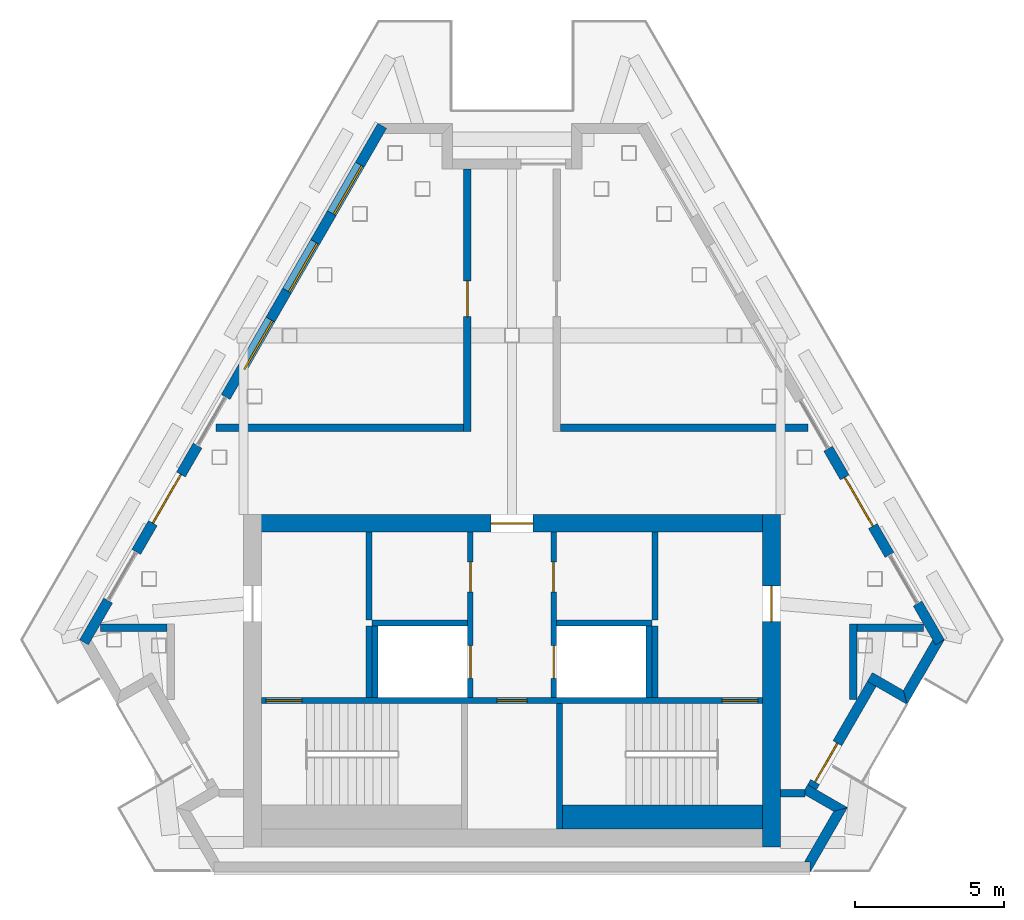
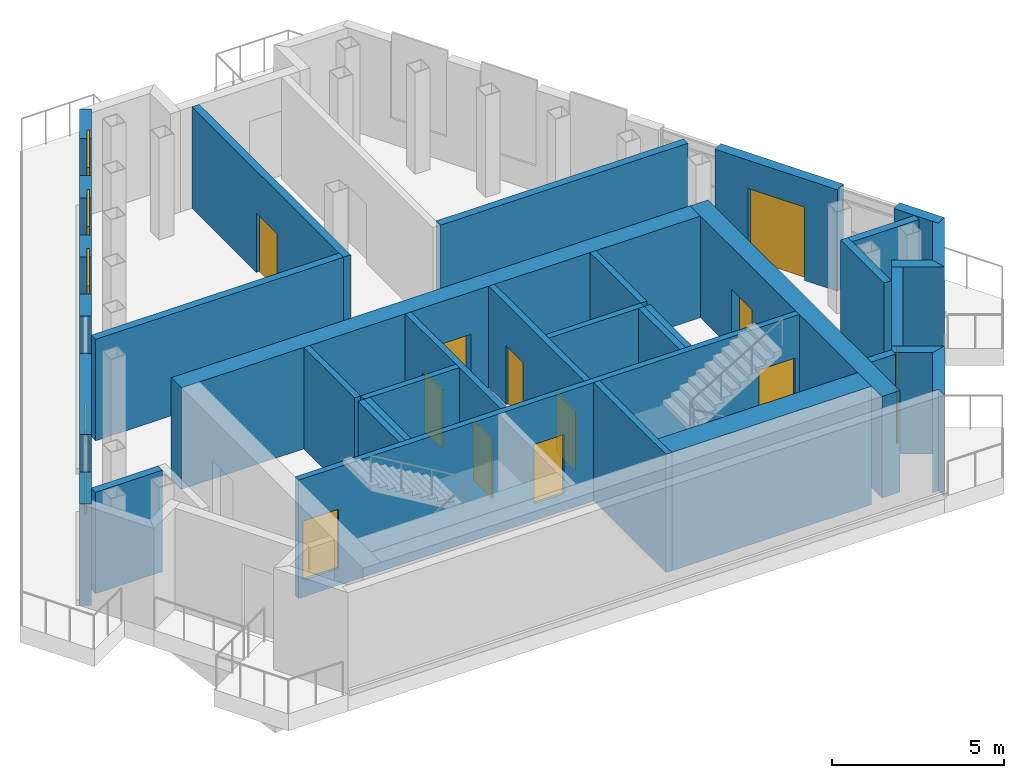
# One storey, part 5 of 7: 32 walls, 13 doors, 3 windows, 16 openings.
"""IFC4 building model written with IfcOpenShell, lengths in metres."""

from ifc_helpers import new_model, si_unit, direction, frame, frame_2d, origin, place, context, subcontext, project, spatial, polyline, rectangle, outline, extrude, material, layer, layer_set, type_object, element, fill, save


model = new_model("IFC4")

# Units and contexts
model_context = context("Model", 3, precision=1e-05, world=origin(), true_north=direction((0.0, 1.0)))
body_context = subcontext(model_context, "Body", "Model", "MODEL_VIEW")
ifc_project = project(units=[si_unit("LENGTHUNIT", "METRE"), si_unit("AREAUNIT", "SQUARE_METRE"), si_unit("VOLUMEUNIT", "CUBIC_METRE"), si_unit("PLANEANGLEUNIT", "RADIAN"), si_unit("MASSUNIT", "GRAM", prefix="KILO")], contexts=[model_context])

# Site, building, storey
site_placement = place(None, origin())
site = spatial("IfcSite", under=ifc_project, at=site_placement, CompositionType="ELEMENT")
building_placement = place(site_placement, origin())
building = spatial("IfcBuilding", under=site, at=building_placement, Name="Fogline Exchange Tower", CompositionType="ELEMENT")
storey_placement = place(building_placement, frame((0.0, 0.0, 359.60009765625)))
storey = spatial("IfcBuildingStorey", under=building, at=storey_placement, Name="L81", CompositionType="ELEMENT", Elevation=359.60009765625)

# Wall, openings, doors
ifc_material_1 = material(Name="Concrete C40", Category="concrete")
ifc_layer_1 = layer(ifc_material_1, 0.199951171875)
ifc_layer_set_1 = layer_set([ifc_layer_1], Name="CW20")
wall_type_1 = type_object("IfcWallType", Name="CW20", PredefinedType="SOLIDWALL", material=ifc_layer_set_1)
wall_1_placement = place(storey_placement, frame((-1.39990234375, 5.85009765625, 0.0), z_axis=(0.0, 0.0, 1.0), x_axis=(0.0, 1.0, 0.0)))
wall_1 = element("IfcWall", 1, at=wall_1_placement, inside=storey, type_object=wall_type_1, Name="Lift lobby wall", PredefinedType="SOLIDWALL", context=body_context, shape_type="SweptSolid", body=[
    extrude(rectangle(XDim=5.5498046875, YDim=0.199951171875, at=frame_2d((2.77490234375, 0.0))), origin(), (0.0, 0.0, 1.0), 3.599853515625),
])
opening_1_placement = place(wall_1_placement, frame((0.64990234375, 0.0, 0.0)))
opening_1 = element("IfcOpeningElement", 2, at=opening_1_placement, cuts=wall_1, Name="Opening L81-LD01", PredefinedType="OPENING", context=body_context, shape_type="SweptSolid", body=[
    extrude(rectangle(XDim=1.10009765625, YDim=2.10009765625, at=frame_2d((0.550048828125, 1.050048828125))), frame((0.0, 0.10986328125, 0.0), z_axis=(0.0, -1.0, 0.0), x_axis=(1.0, 0.0, 0.0)), (0.0, 0.0, 1.0), 0.219970703125),
])
opening_2_placement = place(wall_1_placement, frame((3.550048828125, 0.0, 0.0)))
opening_2 = element("IfcOpeningElement", 3, at=opening_2_placement, cuts=wall_1, Name="Opening L81-C004", PredefinedType="OPENING", context=body_context, shape_type="SweptSolid", body=[
    extrude(rectangle(XDim=1.0, YDim=2.10009765625, at=frame_2d((0.5, 1.050048828125))), frame((0.0, 0.10986328125, 0.0), z_axis=(0.0, -1.0, 0.0), x_axis=(1.0, 0.0, 0.0)), (0.0, 0.0, 1.0), 0.219970703125),
])
ifc_material_2 = material(Name="Steel and timber fire door", Category="steel")
door_type_1 = type_object("IfcDoorType", Name="D-RM1", OperationType="SINGLE_SWING_LEFT", PredefinedType="DOOR", material=ifc_material_2)
door_1_placement = place(opening_2_placement, origin())
door_1 = element("IfcDoor", 4, at=door_1_placement, inside=storey, type_object=door_type_1, Name="Door to store", OperationType="SINGLE_SWING_LEFT", OverallHeight=2.10009765625, OverallWidth=1.0, PredefinedType="DOOR", context=body_context, shape_type="SweptSolid", body=[
    extrude(rectangle(XDim=1.0, YDim=2.10009765625, at=frame_2d((0.5, 1.050048828125))), frame((0.0, 0.02490234375, 0.0), z_axis=(0.0, -1.0, 0.0), x_axis=(1.0, 0.0, 0.0)), (0.0, 0.0, 1.0), 0.050048828125),
])
fill(opening_2, door_1)
door_type_2 = type_object("IfcDoorType", Name="LD2", OperationType="SLIDING_TO_RIGHT", PredefinedType="DOOR", material=ifc_material_2)
door_2_placement = place(opening_1_placement, origin())
door_2 = element("IfcDoor", 5, at=door_2_placement, inside=storey, type_object=door_type_2, Name="Landing door FF1", OperationType="SLIDING_TO_RIGHT", OverallHeight=2.10009765625, OverallWidth=1.10009765625, PredefinedType="DOOR", context=body_context, shape_type="SweptSolid", body=[
    extrude(rectangle(XDim=1.10009765625, YDim=2.10009765625, at=frame_2d((0.550048828125, 1.050048828125))), frame((0.0, 0.02490234375, 0.0), z_axis=(0.0, -1.0, 0.0), x_axis=(1.0, 0.0, 0.0)), (0.0, 0.0, 1.0), 0.050048828125),
])
fill(opening_1, door_2)

wall_2_placement = place(storey_placement, frame((1.39990234375, 5.85009765625, 0.0), z_axis=(0.0, 0.0, 1.0), x_axis=(0.0, 1.0, 0.0)))
wall_2 = element("IfcWall", 6, at=wall_2_placement, inside=storey, type_object=wall_type_1, Name="Lift lobby wall", PredefinedType="SOLIDWALL", context=body_context, shape_type="SweptSolid", body=[
    extrude(rectangle(XDim=5.5498046875, YDim=0.199951171875, at=frame_2d((2.77490234375, 0.0))), origin(), (0.0, 0.0, 1.0), 3.599853515625),
])
opening_3_placement = place(wall_2_placement, frame((0.64990234375, 0.0, 0.0)))
opening_3 = element("IfcOpeningElement", 7, at=opening_3_placement, cuts=wall_2, Name="Opening L81-LD02", PredefinedType="OPENING", context=body_context, shape_type="SweptSolid", body=[
    extrude(rectangle(XDim=1.10009765625, YDim=2.10009765625, at=frame_2d((0.550048828125, 1.050048828125))), frame((0.0, 0.10986328125, 0.0), z_axis=(0.0, -1.0, 0.0), x_axis=(1.0, 0.0, 0.0)), (0.0, 0.0, 1.0), 0.219970703125),
])
opening_4_placement = place(wall_2_placement, frame((3.550048828125, 0.0, 0.0)))
opening_4 = element("IfcOpeningElement", 8, at=opening_4_placement, cuts=wall_2, Name="Opening L81-C007", PredefinedType="OPENING", context=body_context, shape_type="SweptSolid", body=[
    extrude(rectangle(XDim=1.0, YDim=2.10009765625, at=frame_2d((0.5, 1.050048828125))), frame((0.0, 0.10986328125, 0.0), z_axis=(0.0, -1.0, 0.0), x_axis=(1.0, 0.0, 0.0)), (0.0, 0.0, 1.0), 0.219970703125),
])
door_3_placement = place(opening_4_placement, frame((1.0, 0.0, 0.0), z_axis=(0.0, 0.0, 1.0), x_axis=(-1.0, 0.0, 0.0)))
door_3 = element("IfcDoor", 9, at=door_3_placement, inside=storey, type_object=door_type_1, Name="Door to store", OperationType="SINGLE_SWING_RIGHT", OverallHeight=2.10009765625, OverallWidth=1.0, PredefinedType="DOOR", context=body_context, shape_type="SweptSolid", body=[
    extrude(rectangle(XDim=1.0, YDim=2.10009765625, at=frame_2d((0.5, 1.050048828125))), frame((0.0, 0.02490234375, 0.0), z_axis=(0.0, -1.0, 0.0), x_axis=(1.0, 0.0, 0.0)), (0.0, 0.0, 1.0), 0.050048828125),
])
fill(opening_4, door_3)
door_4_placement = place(opening_3_placement, origin())
door_4 = element("IfcDoor", 10, at=door_4_placement, inside=storey, type_object=door_type_2, Name="Landing door FF2", OperationType="SLIDING_TO_RIGHT", OverallHeight=2.10009765625, OverallWidth=1.10009765625, PredefinedType="DOOR", context=body_context, shape_type="SweptSolid", body=[
    extrude(rectangle(XDim=1.10009765625, YDim=2.10009765625, at=frame_2d((0.550048828125, 1.050048828125))), frame((0.0, 0.02490234375, 0.0), z_axis=(0.0, -1.0, 0.0), x_axis=(1.0, 0.0, 0.0)), (0.0, 0.0, 1.0), 0.050048828125),
])
fill(opening_3, door_4)

# Walls
for number, where, z_axis, x_axis, name in (
    (11, (-4.60009765625, 5.85009765625, 0.0), (0.0, 0.0, 1.0), (0.0, 1.0, 0.0), "Lift shaft wall"),
    (12, (4.60009765625, 5.85009765625, 0.0), (0.0, 0.0, 1.0), (0.0, 1.0, 0.0), "Lift shaft wall"),
):
    element("IfcWall", number, at=place(storey_placement, frame(where, z_axis=z_axis, x_axis=x_axis)), inside=storey, type_object=wall_type_1, Name=name, PredefinedType="SOLIDWALL", context=body_context, shape_type="SweptSolid", body=[
        extrude(rectangle(XDim=2.39990234375, YDim=0.199951171875, at=frame_2d((1.199951171875, 0.0))), origin(), (0.0, 0.0, 1.0), 3.599853515625),
    ])
for number, where, z_axis, x_axis, name in (
    (13, (-4.699951171875, 8.35009765625, 0.0), (0.0, 0.0, 1.0), (1.0, 0.0, 0.0), "Lift shaft wall"),
    (14, (1.5, 8.35009765625, 0.0), (0.0, 0.0, 1.0), (1.0, 0.0, 0.0), "Lift shaft wall"),
):
    element("IfcWall", number, at=place(storey_placement, frame(where, z_axis=z_axis, x_axis=x_axis)), inside=storey, type_object=wall_type_1, Name=name, PredefinedType="SOLIDWALL", context=body_context, shape_type="SweptSolid", body=[
        extrude(rectangle(XDim=3.199951171875, YDim=0.199951171875, at=frame_2d((1.60009765625, 0.0))), origin(), (0.0, 0.0, 1.0), 3.599853515625),
    ])
for number, where, z_axis, x_axis, name in (
    (15, (-4.800048828125, 8.449951171875, 0.0), (0.0, 0.0, 1.0), (0.0, 1.0, 0.0), "Room wall"),
    (16, (4.800048828125, 8.449951171875, 0.0), (0.0, 0.0, 1.0), (0.0, 1.0, 0.0), "Room wall"),
):
    element("IfcWall", number, at=place(storey_placement, frame(where, z_axis=z_axis, x_axis=x_axis)), inside=storey, type_object=wall_type_1, Name=name, PredefinedType="SOLIDWALL", context=body_context, shape_type="SweptSolid", body=[
        extrude(rectangle(XDim=2.949951171875, YDim=0.199951171875, at=frame_2d((1.47509765625, 0.0))), origin(), (0.0, 0.0, 1.0), 3.599853515625),
    ])
for number, where, z_axis, x_axis, name in (
    (17, (-4.800048828125, 5.85009765625, 0.0), (0.0, 0.0, 1.0), (0.0, 1.0, 0.0), "Room wall"),
    (18, (4.800048828125, 5.85009765625, 0.0), (0.0, 0.0, 1.0), (0.0, 1.0, 0.0), "Room wall"),
):
    element("IfcWall", number, at=place(storey_placement, frame(where, z_axis=z_axis, x_axis=x_axis)), inside=storey, type_object=wall_type_1, Name=name, PredefinedType="SOLIDWALL", context=body_context, shape_type="SweptSolid", body=[
        extrude(rectangle(XDim=2.39990234375, YDim=0.199951171875, at=frame_2d((1.199951171875, 0.0))), origin(), (0.0, 0.0, 1.0), 3.599853515625),
    ])

# Wall, openings, doors
ifc_layer_2 = layer(ifc_material_1, 0.199951171875)
ifc_layer_set_2 = layer_set([ifc_layer_2], Name="CW20R")
wall_type_2 = type_object("IfcWallType", Name="CW20R", PredefinedType="SOLIDWALL", material=ifc_layer_set_2)
wall_3_placement = place(storey_placement, frame((-8.39990234375, 5.75, -0.60009765625), z_axis=(0.0, 0.0, 1.0), x_axis=(1.0, 0.0, 0.0)))
wall_3 = element("IfcWall", 19, at=wall_3_placement, inside=storey, type_object=wall_type_2, Name="Stair enclosure wall", PredefinedType="SOLIDWALL", context=body_context, shape_type="SweptSolid", body=[
    extrude(rectangle(XDim=16.7998046875, YDim=0.199951171875, at=frame_2d((8.39990234375, 0.0))), origin(), (0.0, 0.0, 1.0), 4.199951171875),
])
opening_5_placement = place(wall_3_placement, frame((7.89990234375, 0.0, 0.60009765625)))
opening_5 = element("IfcOpeningElement", 20, at=opening_5_placement, cuts=wall_3, Name="Opening L81-C001", PredefinedType="OPENING", context=body_context, shape_type="SweptSolid", body=[
    extrude(rectangle(XDim=1.0, YDim=2.10009765625, at=frame_2d((0.5, 1.050048828125))), frame((0.0, 0.10986328125, 0.0), z_axis=(0.0, -1.0, 0.0), x_axis=(1.0, 0.0, 0.0)), (0.0, 0.0, 1.0), 0.219970703125),
])
opening_6_placement = place(wall_3_placement, frame((0.14990234375, 0.0, 0.60009765625)))
opening_6 = element("IfcOpeningElement", 21, at=opening_6_placement, cuts=wall_3, Name="Opening L81-C003", PredefinedType="OPENING", context=body_context, shape_type="SweptSolid", body=[
    extrude(rectangle(XDim=1.199951171875, YDim=2.10009765625, at=frame_2d((0.60009765625, 1.050048828125))), frame((0.0, 0.10986328125, 0.0), z_axis=(0.0, -1.0, 0.0), x_axis=(1.0, 0.0, 0.0)), (0.0, 0.0, 1.0), 0.219970703125),
])
opening_7_placement = place(wall_3_placement, frame((15.449951171875, 0.0, 0.60009765625)))
opening_7 = element("IfcOpeningElement", 22, at=opening_7_placement, cuts=wall_3, Name="Opening L81-C006", PredefinedType="OPENING", context=body_context, shape_type="SweptSolid", body=[
    extrude(rectangle(XDim=1.199951171875, YDim=2.10009765625, at=frame_2d((0.60009765625, 1.050048828125))), frame((0.0, 0.10986328125, 0.0), z_axis=(0.0, -1.0, 0.0), x_axis=(1.0, 0.0, 0.0)), (0.0, 0.0, 1.0), 0.219970703125),
])
door_5_placement = place(opening_5_placement, frame((1.0, 0.0, 0.0), z_axis=(0.0, 0.0, 1.0), x_axis=(-1.0, 0.0, 0.0)))
door_5 = element("IfcDoor", 23, at=door_5_placement, inside=storey, type_object=door_type_1, Name="Door to Riser Room", OperationType="SINGLE_SWING_RIGHT", OverallHeight=2.10009765625, OverallWidth=1.0, PredefinedType="DOOR", context=body_context, shape_type="SweptSolid", body=[
    extrude(rectangle(XDim=1.0, YDim=2.10009765625, at=frame_2d((0.5, 1.050048828125))), frame((0.0, 0.02490234375, 0.0), z_axis=(0.0, -1.0, 0.0), x_axis=(1.0, 0.0, 0.0)), (0.0, 0.0, 1.0), 0.050048828125),
])
fill(opening_5, door_5)
door_type_3 = type_object("IfcDoorType", Name="D-ST1", OperationType="SINGLE_SWING_LEFT", PredefinedType="DOOR", material=ifc_material_2)
door_6_placement = place(opening_6_placement, frame((1.199951171875, 0.0, 0.0), z_axis=(0.0, 0.0, 1.0), x_axis=(-1.0, 0.0, 0.0)))
door_6 = element("IfcDoor", 24, at=door_6_placement, inside=storey, type_object=door_type_3, Name="Stair door CS1", OperationType="SINGLE_SWING_RIGHT", OverallHeight=2.10009765625, OverallWidth=1.199951171875, PredefinedType="DOOR", context=body_context, shape_type="SweptSolid", body=[
    extrude(rectangle(XDim=1.199951171875, YDim=2.10009765625, at=frame_2d((0.60009765625, 1.050048828125))), frame((0.0, 0.02490234375, 0.0), z_axis=(0.0, -1.0, 0.0), x_axis=(1.0, 0.0, 0.0)), (0.0, 0.0, 1.0), 0.050048828125),
])
fill(opening_6, door_6)
door_7_placement = place(opening_7_placement, frame((1.199951171875, 0.0, 0.0), z_axis=(0.0, 0.0, 1.0), x_axis=(-1.0, 0.0, 0.0)))
door_7 = element("IfcDoor", 25, at=door_7_placement, inside=storey, type_object=door_type_3, Name="Stair door CS2", OperationType="SINGLE_SWING_LEFT", OverallHeight=2.10009765625, OverallWidth=1.199951171875, PredefinedType="DOOR", context=body_context, shape_type="SweptSolid", body=[
    extrude(rectangle(XDim=1.199951171875, YDim=2.10009765625, at=frame_2d((0.60009765625, 1.050048828125))), frame((0.0, 0.02490234375, 0.0), z_axis=(0.0, -1.0, 0.0), x_axis=(1.0, 0.0, 0.0)), (0.0, 0.0, 1.0), 0.050048828125),
])
fill(opening_7, door_7)

# Walls
wall_4_placement = place(storey_placement, frame((1.60009765625, 1.449951171875, -0.60009765625), z_axis=(0.0, 0.0, 1.0), x_axis=(0.0, 1.0, 0.0)))
element("IfcWall", 26, at=wall_4_placement, inside=storey, type_object=wall_type_2, Name="Stair enclosure wall", PredefinedType="SOLIDWALL", context=body_context, shape_type="SweptSolid", body=[
    extrude(rectangle(XDim=4.199951171875, YDim=0.199951171875, at=frame_2d((2.10009765625, 0.0))), origin(), (0.0, 0.0, 1.0), 4.199951171875),
])
ifc_layer_3 = layer(ifc_material_1, 0.800048828125)
ifc_layer_set_3 = layer_set([ifc_layer_3], Name="CW80R")
wall_type_3 = type_object("IfcWallType", Name="CW80R", PredefinedType="SOLIDWALL", material=ifc_layer_set_3)
wall_5_placement = place(storey_placement, frame((1.699951171875, 1.85009765625, -0.60009765625), z_axis=(0.0, 0.0, 1.0), x_axis=(1.0, 0.0, 0.0)))
element("IfcWall", 27, at=wall_5_placement, inside=storey, type_object=wall_type_3, Name="Stair enclosure wall", PredefinedType="SOLIDWALL", context=body_context, shape_type="SweptSolid", body=[
    extrude(rectangle(XDim=6.699951171875, YDim=0.800048828125, at=frame_2d((3.35009765625, 0.0))), origin(), (0.0, 0.0, 1.0), 4.199951171875),
])
ifc_material_3 = material(Name="Brick masonry", Category="masonry")
ifc_layer_4 = layer(ifc_material_3, 0.340087890625)
ifc_layer_set_4 = layer_set([ifc_layer_4], Name="FW1")
wall_type_4 = type_object("IfcWallType", Name="FW1", PredefinedType="SOLIDWALL", material=ifc_layer_set_4)
wall_6_placement = place(storey_placement, origin())
element("IfcWall", 28, at=wall_6_placement, inside=storey, type_object=wall_type_4, Name="Brick wall L81 SE-c1", PredefinedType="SOLIDWALL", context=body_context, shape_type="SweptSolid", body=[
    extrude(outline(polyline([(11.2509765625, 2.165771484375), (10.0, -0.001220703125), (9.99951171875, -0.0009765625), (9.99951171875, 0.33935546875), (9.802734375, 0.33935546875), (10.78515625, 2.041015625), (11.2509765625, 2.166015625), (11.2509765625, 2.165771484375)])), origin(), (0.0, 0.0, 1.0), 3.599853515625),
])
wall_7_placement = place(storey_placement, origin())
element("IfcWall", 29, at=wall_7_placement, inside=storey, type_object=wall_type_4, Name="Brick wall L81 SE-s1", PredefinedType="SOLIDWALL", context=body_context, shape_type="SweptSolid", body=[
    extrude(outline(polyline([(9.74560546875, 2.640380859375), (9.916015625, 2.935791015625), (10.211181640625, 2.765625), (11.251220703125, 2.1650390625), (11.251220703125, 2.164794921875), (10.785400390625, 2.0400390625), (9.74560546875, 2.640380859375)])), origin(), (0.0, 0.0, 1.0), 3.599853515625),
])

# Wall, opening, door
wall_8_placement = place(storey_placement, frame((10.0634765625, 2.85009765625, 0.0), z_axis=(0.0, 0.0, 1.0), x_axis=(0.49999894854, 0.866026010844, 0.0)))
wall_8 = element("IfcWall", 30, at=wall_8_placement, inside=storey, type_object=wall_type_4, Name="Brick wall L81 SE-bk", PredefinedType="SOLIDWALL", context=body_context, shape_type="SweptSolid", body=[
    extrude(rectangle(XDim=4.0, YDim=0.340087890625, at=frame_2d((2.0, 0.0))), origin(), (0.0, 0.0, 1.0), 3.599853515625),
])
opening_8_placement = place(wall_8_placement, frame((0.199951171875, 0.0, 0.0)))
opening_8 = element("IfcOpeningElement", 31, at=opening_8_placement, cuts=wall_8, Name="Opening L81-E081", PredefinedType="OPENING", context=body_context, shape_type="SweptSolid", body=[
    extrude(rectangle(XDim=1.5, YDim=2.39990234375, at=frame_2d((0.75, 1.199951171875))), frame((0.0, 0.18017578125, 0.0), z_axis=(0.0, -1.0, 0.0), x_axis=(1.0, 0.0, 0.0)), (0.0, 0.0, 1.0), 0.360107421875),
])
ifc_material_4 = material(Name="Aluminium and glass", Category="aluminium")
door_type_4 = type_object("IfcDoorType", Name="ED4", OperationType="SINGLE_SWING_LEFT", PredefinedType="DOOR", material=ifc_material_4)
door_8_placement = place(opening_8_placement, frame((1.5, 0.0, 0.0), z_axis=(0.0, 0.0, 1.0), x_axis=(-1.0, 0.0, 0.0)))
door_8 = element("IfcDoor", 32, at=door_8_placement, inside=storey, type_object=door_type_4, Name="Balcony door L81 SE", OperationType="DOUBLE_DOOR_SINGLE_SWING", OverallHeight=2.39990234375, OverallWidth=1.5, PredefinedType="DOOR", context=body_context, shape_type="SweptSolid", body=[
    extrude(rectangle(XDim=1.5, YDim=2.39990234375, at=frame_2d((0.75, 1.199951171875))), frame((0.0, 0.02490234375, 0.0), z_axis=(0.0, -1.0, 0.0), x_axis=(1.0, 0.0, 0.0)), (0.0, 0.0, 1.0), 0.050048828125),
])
fill(opening_8, door_8)

# Walls
wall_9_placement = place(storey_placement, origin())
element("IfcWall", 33, at=wall_9_placement, inside=storey, type_object=wall_type_4, Name="Brick wall L81 SE-s2", PredefinedType="SOLIDWALL", context=body_context, shape_type="SweptSolid", body=[
    extrude(outline(polyline([(13.25048828125, 5.628173828125), (12.21044921875, 6.228759765625), (11.91552734375, 6.39892578125), (12.086181640625, 6.6943359375), (13.1259765625, 6.093994140625), (13.250732421875, 5.62841796875), (13.25048828125, 5.628173828125)])), origin(), (0.0, 0.0, 1.0), 3.599853515625),
])
wall_10_placement = place(storey_placement, origin())
element("IfcWall", 34, at=wall_10_placement, inside=storey, type_object=wall_type_4, Name="Brick wall L81 SE-c2", PredefinedType="SOLIDWALL", context=body_context, shape_type="SweptSolid", body=[
    extrude(outline(polyline([(14.107421875, 7.79541015625), (14.205810546875, 7.625), (14.500732421875, 7.79541015625), (14.5009765625, 7.794921875), (13.25, 5.6279296875), (13.249755859375, 5.6279296875), (13.125, 6.09375), (14.107421875, 7.79541015625)])), origin(), (0.0, 0.0, 1.0), 3.599853515625),
])
wall_11_placement = place(storey_placement, frame((14.352783203125, 7.709228515625, 0.0), z_axis=(0.0, 0.0, 1.0), x_axis=(-0.499990139034, 0.866031096941, 0.0)))
element("IfcWall", 35, at=wall_11_placement, inside=storey, type_object=wall_type_4, Name="Brick wall L81 E bay 1", PredefinedType="SOLIDWALL", context=body_context, shape_type="SweptSolid", body=[
    extrude(rectangle(XDim=1.5, YDim=0.340087890625, at=frame_2d((0.75, 0.0))), origin(), (0.0, 0.0, 1.0), 3.599853515625),
])

# Wall, opening, door
wall_12_placement = place(storey_placement, frame((12.660400390625, 10.640625, 0.0), z_axis=(0.0, 0.0, 1.0), x_axis=(-0.500018604663, 0.866014662111, 0.0)))
wall_12 = element("IfcWall", 36, at=wall_12_placement, inside=storey, type_object=wall_type_4, Name="Brick wall L81 E bay 2", PredefinedType="SOLIDWALL", context=body_context, shape_type="SweptSolid", body=[
    extrude(rectangle(XDim=4.114990234375, YDim=0.340087890625, at=frame_2d((2.0576171875, 0.0))), origin(), (0.0, 0.0, 1.0), 3.599853515625),
])
opening_9_placement = place(wall_12_placement, frame((1.114990234375, 0.0, 0.0)))
opening_9 = element("IfcOpeningElement", 37, at=opening_9_placement, cuts=wall_12, Name="Opening L81-E111", PredefinedType="OPENING", context=body_context, shape_type="SweptSolid", body=[
    extrude(rectangle(XDim=1.885009765625, YDim=2.60009765625, at=frame_2d((0.9423828125, 1.300048828125))), frame((0.0, 0.18017578125, 0.0), z_axis=(0.0, -1.0, 0.0), x_axis=(1.0, 0.0, 0.0)), (0.0, 0.0, 1.0), 0.360107421875),
])
door_type_5 = type_object("IfcDoorType", Name="ED5", OperationType="SINGLE_SWING_LEFT", PredefinedType="DOOR", material=ifc_material_4)
door_9_placement = place(opening_9_placement, frame((1.885009765625, 0.0, 0.0), z_axis=(0.0, 0.0, 1.0), x_axis=(-1.0, 0.0, 0.0)))
door_9 = element("IfcDoor", 38, at=door_9_placement, inside=storey, type_object=door_type_5, Name="Terrace door L81 E", OperationType="DOUBLE_DOOR_SINGLE_SWING", OverallHeight=2.60009765625, OverallWidth=1.885009765625, PredefinedType="DOOR", context=body_context, shape_type="SweptSolid", body=[
    extrude(rectangle(XDim=1.885009765625, YDim=2.60009765625, at=frame_2d((0.9423828125, 1.300048828125))), frame((0.0, 0.02490234375, 0.0), z_axis=(0.0, -1.0, 0.0), x_axis=(1.0, 0.0, 0.0)), (0.0, 0.0, 1.0), 0.050048828125),
])
fill(opening_9, door_9)

# Wall, openings, windows
wall_13_placement = place(storey_placement, frame((-4.352783203125, 25.02978515625, 0.0), z_axis=(0.0, 0.0, 1.0), x_axis=(-0.500000207062, -0.866025284237, 0.0)))
wall_13 = element("IfcWall", 39, at=wall_13_placement, inside=storey, type_object=wall_type_4, Name="Brick wall L81 W bay 1", PredefinedType="SOLIDWALL", context=body_context, shape_type="SweptSolid", body=[
    extrude(rectangle(XDim=10.5, YDim=0.340087890625, at=frame_2d((5.25, 0.0))), origin(), (0.0, 0.0, 1.0), 3.599853515625),
])
opening_10_placement = place(wall_13_placement, frame((1.5, 0.0, 0.89990234375)))
opening_10 = element("IfcOpeningElement", 40, at=opening_10_placement, cuts=wall_13, Name="Opening W6", PredefinedType="OPENING", context=body_context, shape_type="SweptSolid", body=[
    extrude(rectangle(XDim=1.885009765625, YDim=3.0, at=frame_2d((0.9423828125, 1.5))), frame((0.0, 0.18017578125, 0.0), z_axis=(0.0, -1.0, 0.0), x_axis=(1.0, 0.0, 0.0)), (0.0, 0.0, 1.0), 0.360107421875),
])
opening_11_placement = place(wall_13_placement, frame((4.5, 0.0, 0.89990234375)))
opening_11 = element("IfcOpeningElement", 41, at=opening_11_placement, cuts=wall_13, Name="Opening W6", PredefinedType="OPENING", context=body_context, shape_type="SweptSolid", body=[
    extrude(rectangle(XDim=1.885009765625, YDim=3.0, at=frame_2d((0.9423828125, 1.5))), frame((0.0, 0.18017578125, 0.0), z_axis=(0.0, -1.0, 0.0), x_axis=(1.0, 0.0, 0.0)), (0.0, 0.0, 1.0), 0.360107421875),
])
opening_12_placement = place(wall_13_placement, frame((7.5, 0.0, 0.89990234375)))
opening_12 = element("IfcOpeningElement", 42, at=opening_12_placement, cuts=wall_13, Name="Opening W6", PredefinedType="OPENING", context=body_context, shape_type="SweptSolid", body=[
    extrude(rectangle(XDim=1.885009765625, YDim=3.0, at=frame_2d((0.9423828125, 1.5))), frame((0.0, 0.18017578125, 0.0), z_axis=(0.0, -1.0, 0.0), x_axis=(1.0, 0.0, 0.0)), (0.0, 0.0, 1.0), 0.360107421875),
])
ifc_material_5 = material(Name="Aluminium louvre", Category="aluminium")
window_type = type_object("IfcWindowType", Name="W6", PartitioningType="SINGLE_PANEL", PredefinedType="WINDOW", material=ifc_material_5)
window_1_placement = place(opening_10_placement, origin())
window_1 = element("IfcWindow", 43, at=window_1_placement, inside=storey, type_object=window_type, Name="W6 W6", OverallHeight=3.0, OverallWidth=1.885009765625, PartitioningType="SINGLE_PANEL", PredefinedType="WINDOW", context=body_context, shape_type="SweptSolid", body=[
    extrude(rectangle(XDim=1.885009765625, YDim=3.0, at=frame_2d((0.9423828125, 1.5))), frame((0.0, 0.110107421875, 0.0), z_axis=(0.0, -1.0, 0.0), x_axis=(1.0, 0.0, 0.0)), (0.0, 0.0, 1.0), 0.06005859375),
])
fill(opening_10, window_1)
window_2_placement = place(opening_11_placement, origin())
window_2 = element("IfcWindow", 44, at=window_2_placement, inside=storey, type_object=window_type, Name="W6 W6", OverallHeight=3.0, OverallWidth=1.885009765625, PartitioningType="SINGLE_PANEL", PredefinedType="WINDOW", context=body_context, shape_type="SweptSolid", body=[
    extrude(rectangle(XDim=1.885009765625, YDim=3.0, at=frame_2d((0.9423828125, 1.5))), frame((0.0, 0.110107421875, 0.0), z_axis=(0.0, -1.0, 0.0), x_axis=(1.0, 0.0, 0.0)), (0.0, 0.0, 1.0), 0.06005859375),
])
fill(opening_11, window_2)
window_3_placement = place(opening_12_placement, origin())
window_3 = element("IfcWindow", 45, at=window_3_placement, inside=storey, type_object=window_type, Name="W6 W6", OverallHeight=3.0, OverallWidth=1.885009765625, PartitioningType="SINGLE_PANEL", PredefinedType="WINDOW", context=body_context, shape_type="SweptSolid", body=[
    extrude(rectangle(XDim=1.885009765625, YDim=3.0, at=frame_2d((0.9423828125, 1.5))), frame((0.0, 0.110107421875, 0.0), z_axis=(0.0, -1.0, 0.0), x_axis=(1.0, 0.0, 0.0)), (0.0, 0.0, 1.0), 0.06005859375),
])
fill(opening_12, window_3)

# Wall, opening, door
wall_14_placement = place(storey_placement, frame((-10.545166015625, 14.303955078125, 0.0), z_axis=(0.0, 0.0, 1.0), x_axis=(-0.500018604663, -0.866014662111, 0.0)))
wall_14 = element("IfcWall", 46, at=wall_14_placement, inside=storey, type_object=wall_type_4, Name="Brick wall L81 W bay 2", PredefinedType="SOLIDWALL", context=body_context, shape_type="SweptSolid", body=[
    extrude(rectangle(XDim=4.114990234375, YDim=0.340087890625, at=frame_2d((2.0576171875, 0.0))), origin(), (0.0, 0.0, 1.0), 3.599853515625),
])
opening_13_placement = place(wall_14_placement, frame((1.114990234375, 0.0, 0.0)))
opening_13 = element("IfcOpeningElement", 47, at=opening_13_placement, cuts=wall_14, Name="Opening L81-E171", PredefinedType="OPENING", context=body_context, shape_type="SweptSolid", body=[
    extrude(rectangle(XDim=1.885009765625, YDim=2.60009765625, at=frame_2d((0.9423828125, 1.300048828125))), frame((0.0, 0.18017578125, 0.0), z_axis=(0.0, -1.0, 0.0), x_axis=(1.0, 0.0, 0.0)), (0.0, 0.0, 1.0), 0.360107421875),
])
door_10_placement = place(opening_13_placement, frame((1.885009765625, 0.0, 0.0), z_axis=(0.0, 0.0, 1.0), x_axis=(-1.0, 0.0, 0.0)))
door_10 = element("IfcDoor", 48, at=door_10_placement, inside=storey, type_object=door_type_5, Name="Terrace door L81 W", OperationType="DOUBLE_DOOR_SINGLE_SWING", OverallHeight=2.60009765625, OverallWidth=1.885009765625, PredefinedType="DOOR", context=body_context, shape_type="SweptSolid", body=[
    extrude(rectangle(XDim=1.885009765625, YDim=2.60009765625, at=frame_2d((0.9423828125, 1.300048828125))), frame((0.0, 0.02490234375, 0.0), z_axis=(0.0, -1.0, 0.0), x_axis=(1.0, 0.0, 0.0)), (0.0, 0.0, 1.0), 0.050048828125),
])
fill(opening_13, door_10)

# Wall
wall_15_placement = place(storey_placement, frame((-13.545166015625, 9.10791015625, 0.0), z_axis=(0.0, 0.0, 1.0), x_axis=(-0.500040847832, -0.866001818993, 0.0)))
element("IfcWall", 49, at=wall_15_placement, inside=storey, type_object=wall_type_4, Name="Brick wall L81 W bay 3", PredefinedType="SOLIDWALL", context=body_context, shape_type="SweptSolid", body=[
    extrude(rectangle(XDim=1.614990234375, YDim=0.340087890625, at=frame_2d((0.8076171875, 0.0))), origin(), (0.0, 0.0, 1.0), 3.599853515625),
])

# Wall, opening, door
ifc_layer_5 = layer(ifc_material_1, 0.25)
ifc_layer_set_5 = layer_set([ifc_layer_5], Name="PP3")
wall_type_5 = type_object("IfcWallType", Name="PP3", PredefinedType="SOLIDWALL", material=ifc_layer_set_5)
wall_16_placement = place(storey_placement, frame((-1.5, 14.77490234375, 0.0), z_axis=(0.0, 0.0, 1.0), x_axis=(0.0, 1.0, 0.0)))
wall_16 = element("IfcWall", 50, at=wall_16_placement, inside=storey, type_object=wall_type_5, Name="PP3 partition", PredefinedType="SOLIDWALL", context=body_context, shape_type="SweptSolid", body=[
    extrude(rectangle(XDim=8.7998046875, YDim=0.25, at=frame_2d((4.39990234375, 0.0))), origin(), (0.0, 0.0, 1.0), 3.599853515625),
])
opening_14_placement = place(wall_16_placement, frame((3.852294921875, 0.0, 0.0)))
opening_14 = element("IfcOpeningElement", 51, at=opening_14_placement, cuts=wall_16, Name="Opening L81-D002", PredefinedType="OPENING", context=body_context, shape_type="SweptSolid", body=[
    extrude(rectangle(XDim=1.199951171875, YDim=2.10009765625, at=frame_2d((0.60009765625, 1.050048828125))), frame((0.0, 0.135009765625, 0.0), z_axis=(0.0, -1.0, 0.0), x_axis=(1.0, 0.0, 0.0)), (0.0, 0.0, 1.0), 0.27001953125),
])
ifc_material_6 = material(Name="Steel Q235B", Category="steel")
door_type_6 = type_object("IfcDoorType", Name="PD7", OperationType="SINGLE_SWING_LEFT", PredefinedType="DOOR", material=ifc_material_6)
door_11_placement = place(opening_14_placement, origin())
door_11 = element("IfcDoor", 52, at=door_11_placement, inside=storey, type_object=door_type_6, Name="L81-D002", OperationType="SINGLE_SWING_LEFT", OverallHeight=2.10009765625, OverallWidth=1.199951171875, PredefinedType="DOOR", context=body_context, shape_type="SweptSolid", body=[
    extrude(rectangle(XDim=1.199951171875, YDim=2.10009765625, at=frame_2d((0.60009765625, 1.050048828125))), frame((0.0, 0.02490234375, 0.0), z_axis=(0.0, -1.0, 0.0), x_axis=(1.0, 0.0, 0.0)), (0.0, 0.0, 1.0), 0.050048828125),
])
fill(opening_14, door_11)

# Walls
for number, where, z_axis, x_axis, name in (
    (53, (1.625, 14.89990234375, 0.0), (0.0, 0.0, 1.0), (1.0, 0.0, 0.0), "PP3 partition"),
    (54, (-9.9326171875, 14.89990234375, 0.0), (0.0, 0.0, 1.0), (1.0, 0.0, 0.0), "PP3 partition"),
):
    element("IfcWall", number, at=place(storey_placement, frame(where, z_axis=z_axis, x_axis=x_axis)), inside=storey, type_object=wall_type_5, Name=name, PredefinedType="SOLIDWALL", context=body_context, shape_type="SweptSolid", body=[
        extrude(rectangle(XDim=8.3076171875, YDim=0.25, at=frame_2d((4.15380859375, 0.0))), origin(), (0.0, 0.0, 1.0), 3.599853515625),
    ])
wall_17_placement = place(storey_placement, frame((11.444580078125, 5.798828125, 0.0), z_axis=(0.0, 0.0, 1.0), x_axis=(0.0, 1.0, 0.0)))
element("IfcWall", 55, at=wall_17_placement, inside=storey, type_object=wall_type_5, Name="PP3 partition", PredefinedType="SOLIDWALL", context=body_context, shape_type="SweptSolid", body=[
    extrude(rectangle(XDim=2.520263671875, YDim=0.25, at=frame_2d((1.26025390625, 0.0))), origin(), (0.0, 0.0, 1.0), 3.599853515625),
])
for number, where, z_axis, x_axis, name in (
    (56, (-13.80419921875, 8.194091796875, 0.0), (0.0, 0.0, 1.0), (1.0, 0.0, 0.0), "PP3 partition"),
    (57, (11.569580078125, 8.194091796875, 0.0), (0.0, 0.0, 1.0), (1.0, 0.0, 0.0), "PP3 partition"),
):
    element("IfcWall", number, at=place(storey_placement, frame(where, z_axis=z_axis, x_axis=x_axis)), inside=storey, type_object=wall_type_5, Name=name, PredefinedType="SOLIDWALL", context=body_context, shape_type="SweptSolid", body=[
        extrude(rectangle(XDim=2.234619140625, YDim=0.25, at=frame_2d((1.1171875, 0.0))), origin(), (0.0, 0.0, 1.0), 3.599853515625),
    ])
wall_18_placement = place(storey_placement, frame((9.0, 2.640625, 0.0), z_axis=(0.0, 0.0, 1.0), x_axis=(1.0, 0.0, 0.0)))
element("IfcWall", 58, at=wall_18_placement, inside=storey, type_object=wall_type_5, Name="PP3 partition", PredefinedType="SOLIDWALL", context=body_context, shape_type="SweptSolid", body=[
    extrude(rectangle(XDim=0.818603515625, YDim=0.25, at=frame_2d((0.4091796875, 0.0))), origin(), (0.0, 0.0, 1.0), 3.599853515625),
])

# Wall, opening, door
ifc_material_7 = material(Name="Concrete C50", Category="concrete")
ifc_layer_6 = layer(ifc_material_7, 0.60009765625)
ifc_layer_set_6 = layer_set([ifc_layer_6], Name="SW05")
wall_type_6 = type_object("IfcWallType", Name="SW05", PredefinedType="SHEAR", material=ifc_layer_set_6)
wall_19_placement = place(storey_placement, frame((8.699951171875, 0.85009765625, 0.0), z_axis=(0.0, 0.0, 1.0), x_axis=(0.0, 1.0, 0.0)))
wall_19 = element("IfcWall", 59, at=wall_19_placement, inside=storey, type_object=wall_type_6, Name="L81-W902", PredefinedType="SHEAR", context=body_context, shape_type="SweptSolid", body=[
    extrude(rectangle(XDim=11.14990234375, YDim=0.60009765625, at=frame_2d((5.574951171875, 0.0))), origin(), (0.0, 0.0, 1.0), 3.599853515625),
])
opening_15_placement = place(wall_19_placement, frame((7.550048828125, 0.0, 0.0)))
opening_15 = element("IfcOpeningElement", 60, at=opening_15_placement, cuts=wall_19, Name="Opening L81-C005", PredefinedType="OPENING", context=body_context, shape_type="SweptSolid", body=[
    extrude(rectangle(XDim=1.199951171875, YDim=2.10009765625, at=frame_2d((0.60009765625, 1.050048828125))), frame((0.0, 0.31005859375, 0.0), z_axis=(0.0, -1.0, 0.0), x_axis=(1.0, 0.0, 0.0)), (0.0, 0.0, 1.0), 0.6201171875),
])
door_type_7 = type_object("IfcDoorType", Name="D-SV1", OperationType="SINGLE_SWING_LEFT", PredefinedType="DOOR", material=ifc_material_2)
door_12_placement = place(opening_15_placement, origin())
door_12 = element("IfcDoor", 61, at=door_12_placement, inside=storey, type_object=door_type_7, Name="Service door E", OperationType="SINGLE_SWING_RIGHT", OverallHeight=2.10009765625, OverallWidth=1.199951171875, PredefinedType="DOOR", context=body_context, shape_type="SweptSolid", body=[
    extrude(rectangle(XDim=1.199951171875, YDim=2.10009765625, at=frame_2d((0.60009765625, 1.050048828125))), frame((0.0, 0.02490234375, 0.0), z_axis=(0.0, -1.0, 0.0), x_axis=(1.0, 0.0, 0.0)), (0.0, 0.0, 1.0), 0.050048828125),
])
fill(opening_15, door_12)

wall_20_placement = place(storey_placement, frame((9.0, 11.699951171875, 0.0), z_axis=(0.0, 0.0, 1.0), x_axis=(-1.0, 0.0, 0.0)))
wall_20 = element("IfcWall", 62, at=wall_20_placement, inside=storey, type_object=wall_type_6, Name="L81-W903", PredefinedType="SHEAR", context=body_context, shape_type="SweptSolid", body=[
    extrude(rectangle(XDim=18.0, YDim=0.60009765625, at=frame_2d((9.0, 0.0))), origin(), (0.0, 0.0, 1.0), 3.599853515625),
])
opening_16_placement = place(wall_20_placement, frame((8.300048828125, 0.0, 0.0)))
opening_16 = element("IfcOpeningElement", 63, at=opening_16_placement, cuts=wall_20, Name="Opening L81-C008", PredefinedType="OPENING", context=body_context, shape_type="SweptSolid", body=[
    extrude(rectangle(XDim=1.39990234375, YDim=2.10009765625, at=frame_2d((0.699951171875, 1.050048828125))), frame((0.0, 0.31005859375, 0.0), z_axis=(0.0, -1.0, 0.0), x_axis=(1.0, 0.0, 0.0)), (0.0, 0.0, 1.0), 0.6201171875),
])
door_type_8 = type_object("IfcDoorType", Name="D-LB1", OperationType="DOUBLE_DOOR_SINGLE_SWING", PredefinedType="DOOR", material=ifc_material_2)
door_13_placement = place(opening_16_placement, origin())
door_13 = element("IfcDoor", 64, at=door_13_placement, inside=storey, type_object=door_type_8, Name="Protected lobby door", OperationType="DOUBLE_DOOR_SINGLE_SWING", OverallHeight=2.10009765625, OverallWidth=1.39990234375, PredefinedType="DOOR", context=body_context, shape_type="SweptSolid", body=[
    extrude(rectangle(XDim=1.39990234375, YDim=2.10009765625, at=frame_2d((0.699951171875, 1.050048828125))), frame((0.0, 0.02490234375, 0.0), z_axis=(0.0, -1.0, 0.0), x_axis=(1.0, 0.0, 0.0)), (0.0, 0.0, 1.0), 0.050048828125),
])
fill(opening_16, door_13)

save(model, "model.ifc")
